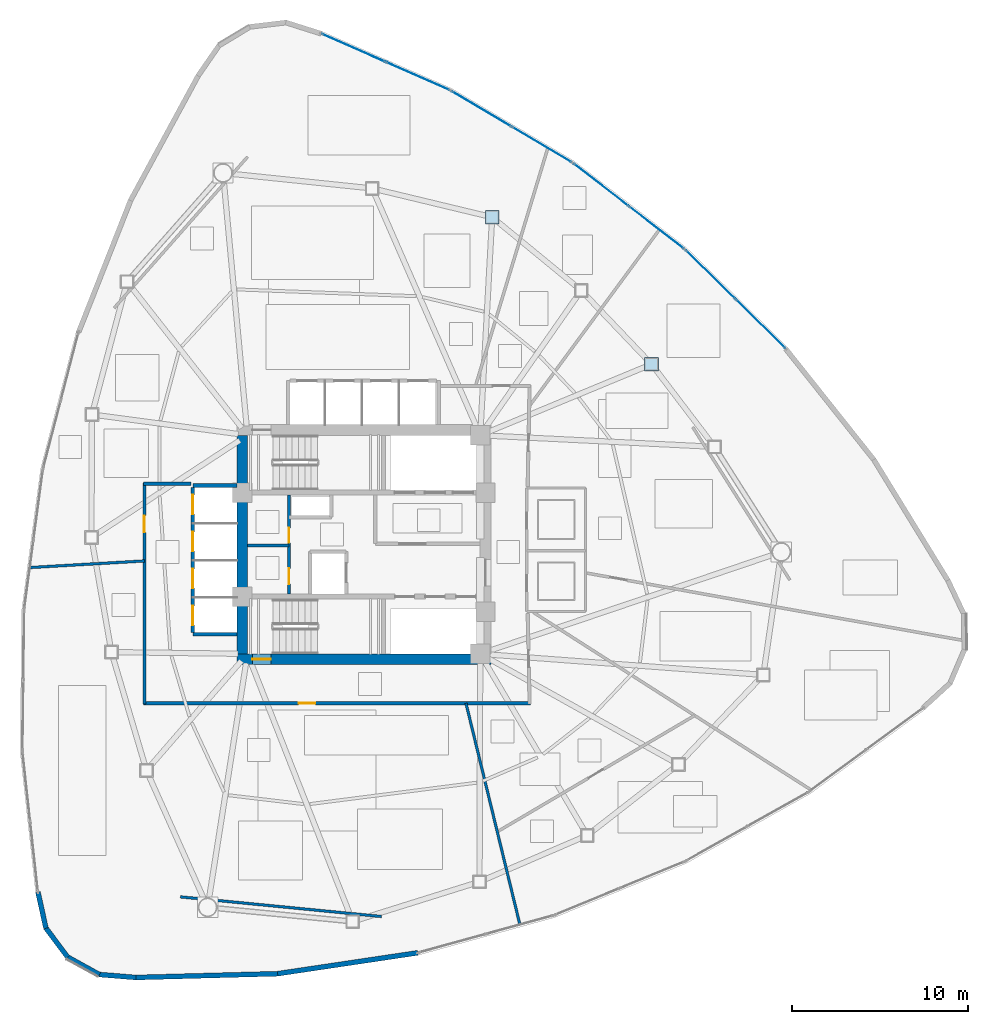
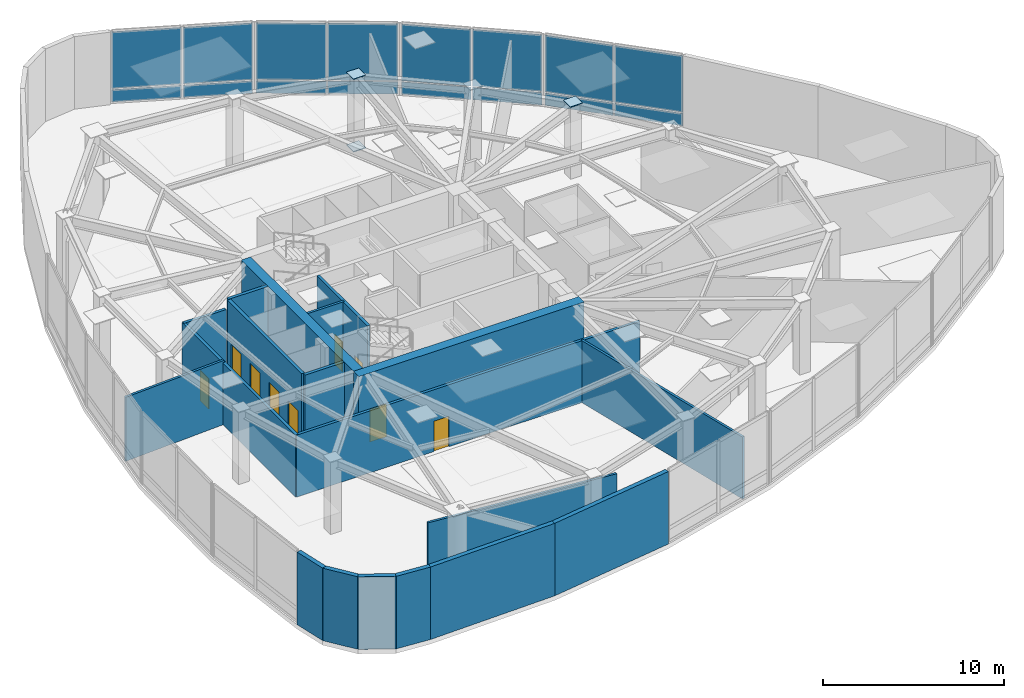
# One storey, part 9 of 14: 19 plates, 19 walls, 9 doors, 9 openings, 4 elements without a shape of their own.
"""IFC4 building model written with IfcOpenShell, lengths in metres."""

from ifc_helpers import new_model, si_unit, direction, frame, frame_2d, origin, origin_2d, place, context, subcontext, project, spatial, rectangle, extrude, source, transform, mapped, material, layer, layer_set, type_object, type_shapes, element, fill, aggregate, save


model = new_model("IFC4")

# Units and contexts
model_context = context("Model", 3, precision=1e-05, world=origin(), true_north=direction((0.0, 1.0)))
body_context = subcontext(model_context, "Body", "Model", "MODEL_VIEW")
ifc_project = project(units=[si_unit("LENGTHUNIT", "METRE"), si_unit("AREAUNIT", "SQUARE_METRE"), si_unit("VOLUMEUNIT", "CUBIC_METRE"), si_unit("PLANEANGLEUNIT", "RADIAN"), si_unit("MASSUNIT", "GRAM", prefix="KILO")], contexts=[model_context])

# Site, building, storey
site_placement = place(None, origin())
site = spatial("IfcSite", under=ifc_project, at=site_placement, CompositionType="ELEMENT")
building_placement = place(site_placement, origin())
building = spatial("IfcBuilding", under=site, at=building_placement, Name="Tavelor Broadcast Tower", CompositionType="ELEMENT")
storey_placement = place(building_placement, frame((0.0, 0.0, 110.39990234375)))
storey = spatial("IfcBuildingStorey", under=building, at=storey_placement, Name="L25", CompositionType="ELEMENT", Elevation=110.39990234375)

# Plates
ifc_material_1 = material(Name="Steel S460", Category="steel")
ifc_layer_1 = layer(ifc_material_1, 0.050048828125)
ifc_layer_set_1 = layer_set([ifc_layer_1], Name="Steel S460")
plate_type_1 = type_object("IfcPlateType", Name="Tube Hollow-End Cap Plate KN05 700x700x50", PredefinedType="USERDEFINED", material=ifc_layer_set_1)
shared_shape_1 = source(origin(), body_context, "Body", "SweptSolid", [
    extrude(rectangle(XDim=0.780029296875, YDim=0.780029296875, at=origin_2d()), origin(), (0.0, 0.0, 1.0), 0.054931640625),
])
type_shapes(plate_type_1, [shared_shape_1])
for number, where, z_axis, x_axis, name in (
    (1, (66.322021484375, 55.228759765625, 4.87255859375), (0.0, 0.0, 1.0), (1.0, 0.0, 0.0), "L25 Hollow End Cap Plate KN05 #760"),
    (2, (57.276611328125, 63.568359375, -0.02734375), (0.0, 0.0, 1.0), (1.0, 0.0, 0.0), "L25 Hollow End Cap Plate KN05 #762"),
    (3, (57.276611328125, 63.568359375, 4.87255859375), (0.0, 0.0, 1.0), (1.0, 0.0, 0.0), "L25 Hollow End Cap Plate KN05 #763"),
):
    element("IfcPlate", number, at=place(storey_placement, frame(where, z_axis=z_axis, x_axis=x_axis)), inside=storey, type_object=plate_type_1, Name=name, ObjectType="CAP PLATE", PredefinedType="USERDEFINED", context=body_context, shape_type="MappedRepresentation", body=[
        mapped(shared_shape_1, transform((0.0, 0.0, 0.0), scale=1.0)),
    ])

# Curtain wall, plates
ifc_material_2 = material(Name="Architectural Anodized Aluminium", Category="aluminium")
ifc_layer_2 = layer(ifc_material_2, 0.239990234375)
ifc_layer_set_2 = layer_set([ifc_layer_2], Name="Architectural Anodized Aluminium")
curtain_wall_type = type_object("IfcCurtainWallType", Name="Sky Lobby Feature Structural Curtain Wall CW05", PredefinedType="NOTDEFINED", material=ifc_layer_set_2)
curtain_wall_1_placement = place(storey_placement, origin())
curtain_wall_1 = element("IfcCurtainWall", 4, at=curtain_wall_1_placement, inside=storey, type_object=curtain_wall_type, Name="L25 Curtain Wall CW05 Run 249", PredefinedType="NOTDEFINED")
ifc_material_3 = material(Name="Ultra-Clear Structural Glazing 38 mm", Category="glass")
ifc_layer_3 = layer(ifc_material_3, 0.0380859375)
ifc_layer_set_3 = layer_set([ifc_layer_3], Name="Ultra-Clear Structural Glazing 38 mm")
plate_type_2 = type_object("IfcPlateType", Name="CW05 Insulated Vision Glazing Panel 38 mm", PredefinedType="CURTAIN_PANEL", material=ifc_layer_set_3)
shared_shape_2 = source(origin(), body_context, "Body", "SweptSolid", [
    extrude(rectangle(XDim=3.891357421875, YDim=0.0380859375, at=origin_2d()), origin(), (0.0, 0.0, 1.0), 0.830078125),
])
plate_1_placement = place(storey_placement, frame((72.4892578125, 57.524169921875, 0.080078125), z_axis=(0.0, 0.0, 1.0), x_axis=(-0.712322409392, 0.701852395506, 0.0)))
plate_1 = element("IfcPlate", 5, at=plate_1_placement, type_object=plate_type_2, Name="CW05 panel 1.1", PredefinedType="CURTAIN_PANEL", context=body_context, shape_type="MappedRepresentation", body=[
    mapped(shared_shape_2, transform((0.0, 0.0, 0.0), scale=1.0)),
])
plate_2_placement = place(storey_placement, frame((69.66015625, 60.3115234375, 0.080078125), z_axis=(0.0, 0.0, 1.0), x_axis=(-0.712322409392, 0.701852395506, 0.0)))
plate_2 = element("IfcPlate", 6, at=plate_2_placement, type_object=plate_type_2, Name="CW05 panel 2.1", PredefinedType="CURTAIN_PANEL", context=body_context, shape_type="MappedRepresentation", body=[
    mapped(shared_shape_2, transform((0.0, 0.0, 0.0), scale=1.0)),
])
shared_shape_3 = source(origin(), body_context, "Body", "SweptSolid", [
    extrude(rectangle(XDim=3.891357421875, YDim=0.0380859375, at=origin_2d()), origin(), (0.0, 0.0, 1.0), 3.830078125),
])
plate_3_placement = place(storey_placement, frame((72.4892578125, 57.524169921875, 0.989990234375), z_axis=(0.0, 0.0, 1.0), x_axis=(-0.712322409392, 0.701852395506, 0.0)))
plate_3 = element("IfcPlate", 7, at=plate_3_placement, type_object=plate_type_2, Name="CW05 panel 1.2", PredefinedType="CURTAIN_PANEL", context=body_context, shape_type="MappedRepresentation", body=[
    mapped(shared_shape_3, transform((0.0, 0.0, 0.0), scale=1.0)),
])
plate_4_placement = place(storey_placement, frame((69.66015625, 60.3115234375, 0.989990234375), z_axis=(0.0, 0.0, 1.0), x_axis=(-0.712322409392, 0.701852395506, 0.0)))
plate_4 = element("IfcPlate", 8, at=plate_4_placement, type_object=plate_type_2, Name="CW05 panel 2.2", PredefinedType="CURTAIN_PANEL", context=body_context, shape_type="MappedRepresentation", body=[
    mapped(shared_shape_3, transform((0.0, 0.0, 0.0), scale=1.0)),
])
aggregate(curtain_wall_1, [plate_1, plate_3, plate_2, plate_4])

curtain_wall_2_placement = place(storey_placement, origin())
curtain_wall_2 = element("IfcCurtainWall", 9, at=curtain_wall_2_placement, inside=storey, type_object=curtain_wall_type, Name="L25 Curtain Wall CW05 Run 250", PredefinedType="NOTDEFINED")
shared_shape_4 = source(origin(), body_context, "Body", "SweptSolid", [
    extrude(rectangle(XDim=3.884033203125, YDim=0.0380859375, at=origin_2d()), origin(), (0.0, 0.0, 1.0), 0.830078125),
])
plate_5_placement = place(storey_placement, frame((66.59326171875, 62.9873046875, 0.080078125), z_axis=(0.0, 0.0, 1.0), x_axis=(-0.792028940195, 0.610483544326, 0.0)))
plate_5 = element("IfcPlate", 10, at=plate_5_placement, type_object=plate_type_2, Name="CW05 panel 1.1", PredefinedType="CURTAIN_PANEL", context=body_context, shape_type="MappedRepresentation", body=[
    mapped(shared_shape_4, transform((0.0, 0.0, 0.0), scale=1.0)),
])
plate_6_placement = place(storey_placement, frame((63.45361328125, 65.4072265625, 0.080078125), z_axis=(0.0, 0.0, 1.0), x_axis=(-0.792028940195, 0.610483544326, 0.0)))
plate_6 = element("IfcPlate", 11, at=plate_6_placement, type_object=plate_type_2, Name="CW05 panel 2.1", PredefinedType="CURTAIN_PANEL", context=body_context, shape_type="MappedRepresentation", body=[
    mapped(shared_shape_4, transform((0.0, 0.0, 0.0), scale=1.0)),
])

curtain_wall_3_placement = place(storey_placement, origin())
curtain_wall_3 = element("IfcCurtainWall", 12, at=curtain_wall_3_placement, inside=storey, type_object=curtain_wall_type, Name="L25 Curtain Wall CW05 Run 251", PredefinedType="NOTDEFINED")
plate_7_placement = place(storey_placement, frame((60.08837890625, 67.68994140625, 0.080078125), z_axis=(0.0, 0.0, 1.0), x_axis=(-0.860082329083, 0.510155257935, 0.0)))
plate_7 = element("IfcPlate", 13, at=plate_7_placement, type_object=plate_type_2, Name="CW05 panel 1.1", PredefinedType="CURTAIN_PANEL", context=body_context, shape_type="MappedRepresentation", body=[
    mapped(shared_shape_4, transform((0.0, 0.0, 0.0), scale=1.0)),
])
plate_8_placement = place(storey_placement, frame((56.678955078125, 69.712158203125, 0.080078125), z_axis=(0.0, 0.0, 1.0), x_axis=(-0.860082329083, 0.510155257935, 0.0)))
plate_8 = element("IfcPlate", 14, at=plate_8_placement, type_object=plate_type_2, Name="CW05 panel 2.1", PredefinedType="CURTAIN_PANEL", context=body_context, shape_type="MappedRepresentation", body=[
    mapped(shared_shape_4, transform((0.0, 0.0, 0.0), scale=1.0)),
])

# Plate
shared_shape_5 = source(origin(), body_context, "Body", "SweptSolid", [
    extrude(rectangle(XDim=3.884033203125, YDim=0.0380859375, at=origin_2d()), origin(), (0.0, 0.0, 1.0), 3.830078125),
])
plate_9_placement = place(storey_placement, frame((66.59326171875, 62.9873046875, 0.989990234375), z_axis=(0.0, 0.0, 1.0), x_axis=(-0.792028940195, 0.610483544326, 0.0)))
plate_9 = element("IfcPlate", 15, at=plate_9_placement, type_object=plate_type_2, Name="CW05 panel 1.2", PredefinedType="CURTAIN_PANEL", context=body_context, shape_type="MappedRepresentation", body=[
    mapped(shared_shape_5, transform((0.0, 0.0, 0.0), scale=1.0)),
])

plate_10_placement = place(storey_placement, frame((63.45361328125, 65.4072265625, 0.989990234375), z_axis=(0.0, 0.0, 1.0), x_axis=(-0.792028940195, 0.610483544326, 0.0)))
plate_10 = element("IfcPlate", 16, at=plate_10_placement, type_object=plate_type_2, Name="CW05 panel 2.2", PredefinedType="CURTAIN_PANEL", context=body_context, shape_type="MappedRepresentation", body=[
    mapped(shared_shape_5, transform((0.0, 0.0, 0.0), scale=1.0)),
])

aggregate(curtain_wall_2, [plate_5, plate_9, plate_6, plate_10])

plate_11_placement = place(storey_placement, frame((60.08837890625, 67.68994140625, 0.989990234375), z_axis=(0.0, 0.0, 1.0), x_axis=(-0.860082329083, 0.510155257935, 0.0)))
plate_11 = element("IfcPlate", 17, at=plate_11_placement, type_object=plate_type_2, Name="CW05 panel 1.2", PredefinedType="CURTAIN_PANEL", context=body_context, shape_type="MappedRepresentation", body=[
    mapped(shared_shape_5, transform((0.0, 0.0, 0.0), scale=1.0)),
])

plate_12_placement = place(storey_placement, frame((56.678955078125, 69.712158203125, 0.989990234375), z_axis=(0.0, 0.0, 1.0), x_axis=(-0.860082329083, 0.510155257935, 0.0)))
plate_12 = element("IfcPlate", 18, at=plate_12_placement, type_object=plate_type_2, Name="CW05 panel 2.2", PredefinedType="CURTAIN_PANEL", context=body_context, shape_type="MappedRepresentation", body=[
    mapped(shared_shape_5, transform((0.0, 0.0, 0.0), scale=1.0)),
])

aggregate(curtain_wall_3, [plate_7, plate_11, plate_8, plate_12])

# Curtain wall, plates
curtain_wall_4_placement = place(storey_placement, origin())
curtain_wall_4 = element("IfcCurtainWall", 19, at=curtain_wall_4_placement, inside=storey, type_object=curtain_wall_type, Name="L25 Curtain Wall CW05 Run 252", PredefinedType="NOTDEFINED")
shared_shape_6 = source(origin(), body_context, "Body", "SweptSolid", [
    extrude(rectangle(XDim=3.891845703125, YDim=0.0380859375, at=origin_2d()), origin(), (0.0, 0.0, 1.0), 0.830078125),
])
plate_13_placement = place(storey_placement, frame((53.05859375, 71.572509765625, 0.080078125), z_axis=(0.0, 0.0, 1.0), x_axis=(-0.915501093225, 0.402315483549, 0.0)))
plate_13 = element("IfcPlate", 20, at=plate_13_placement, type_object=plate_type_2, Name="CW05 panel 1.1", PredefinedType="CURTAIN_PANEL", context=body_context, shape_type="MappedRepresentation", body=[
    mapped(shared_shape_6, transform((0.0, 0.0, 0.0), scale=1.0)),
])
plate_14_placement = place(storey_placement, frame((49.42236328125, 73.17041015625, 0.080078125), z_axis=(0.0, 0.0, 1.0), x_axis=(-0.915501093225, 0.402315483549, 0.0)))
plate_14 = element("IfcPlate", 21, at=plate_14_placement, type_object=plate_type_2, Name="CW05 panel 2.1", PredefinedType="CURTAIN_PANEL", context=body_context, shape_type="MappedRepresentation", body=[
    mapped(shared_shape_6, transform((0.0, 0.0, 0.0), scale=1.0)),
])
shared_shape_7 = source(origin(), body_context, "Body", "SweptSolid", [
    extrude(rectangle(XDim=3.891845703125, YDim=0.0380859375, at=origin_2d()), origin(), (0.0, 0.0, 1.0), 3.830078125),
])
type_shapes(plate_type_2, [shared_shape_2, shared_shape_3, shared_shape_4, shared_shape_5, shared_shape_6, shared_shape_7])
plate_15_placement = place(storey_placement, frame((53.05859375, 71.572509765625, 0.989990234375), z_axis=(0.0, 0.0, 1.0), x_axis=(-0.915501093225, 0.402315483549, 0.0)))
plate_15 = element("IfcPlate", 22, at=plate_15_placement, type_object=plate_type_2, Name="CW05 panel 1.2", PredefinedType="CURTAIN_PANEL", context=body_context, shape_type="MappedRepresentation", body=[
    mapped(shared_shape_7, transform((0.0, 0.0, 0.0), scale=1.0)),
])
plate_16_placement = place(storey_placement, frame((49.42236328125, 73.17041015625, 0.989990234375), z_axis=(0.0, 0.0, 1.0), x_axis=(-0.915501093225, 0.402315483549, 0.0)))
plate_16 = element("IfcPlate", 23, at=plate_16_placement, type_object=plate_type_2, Name="CW05 panel 2.2", PredefinedType="CURTAIN_PANEL", context=body_context, shape_type="MappedRepresentation", body=[
    mapped(shared_shape_7, transform((0.0, 0.0, 0.0), scale=1.0)),
])
aggregate(curtain_wall_4, [plate_13, plate_15, plate_14, plate_16])

# Wall, opening, door
ifc_material_4 = material(Name="Concrete C60/75", Category="concrete")
ifc_layer_4 = layer(ifc_material_4, 0.60009765625)
ifc_layer_set_4 = layer_set([ifc_layer_4], Name="Concrete C60/75")
wall_type_1 = type_object("IfcWallType", Name="Core Shear Wall 600 mm", PredefinedType="SHEAR", material=ifc_layer_set_4)
wall_1_placement = place(storey_placement, frame((42.800048828125, 38.5, 0.0), z_axis=(0.0, 0.0, 1.0), x_axis=(1.0, 0.0, 0.0)))
wall_1 = element("IfcWall", 24, at=wall_1_placement, inside=storey, type_object=wall_type_1, Name="L25 Central Core Shear Wall S", PredefinedType="SHEAR", context=body_context, shape_type="SweptSolid", body=[
    extrude(rectangle(XDim=14.39990234375, YDim=0.60009765625, at=frame_2d((7.199951171875, 0.0))), origin(), (0.0, 0.0, 1.0), 4.900146484375),
])
opening_1_placement = place(wall_1_placement, frame((0.8798828125, 0.0, 0.0)))
opening_1 = element("IfcOpeningElement", 25, at=opening_1_placement, cuts=wall_1, Name="Opening DR11", PredefinedType="OPENING", context=body_context, shape_type="SweptSolid", body=[
    extrude(rectangle(XDim=1.050048828125, YDim=2.199951171875, at=frame_2d((0.52490234375, 1.10009765625))), frame((0.0, 0.31005859375, 0.0), z_axis=(0.0, -1.0, 0.0), x_axis=(1.0, 0.0, 0.0)), (0.0, 0.0, 1.0), 0.6201171875),
])
ifc_material_5 = material(Name="Steel S355", Category="steel")
door_type_1 = type_object("IfcDoorType", Name="Stair Core Fire Escape Door 1050x2200", OperationType="NOTDEFINED", PredefinedType="DOOR", material=ifc_material_5)
door_1_placement = place(opening_1_placement, origin())
door_1 = element("IfcDoor", 26, at=door_1_placement, inside=storey, type_object=door_type_1, Name="L25 Stair ST2 Protected Exit Door", OperationType="SINGLE_SWING_RIGHT", OverallHeight=2.199951171875, OverallWidth=1.050048828125, PredefinedType="DOOR", context=body_context, shape_type="SweptSolid", body=[
    extrude(rectangle(XDim=1.050048828125, YDim=2.199951171875, at=frame_2d((0.52490234375, 1.10009765625))), frame((0.0, 0.02490234375, 0.0), z_axis=(0.0, -1.0, 0.0), x_axis=(1.0, 0.0, 0.0)), (0.0, 0.0, 1.0), 0.050048828125),
])
fill(opening_1, door_1)

# Wall
wall_2_placement = place(storey_placement, frame((43.10009765625, 38.800048828125, 0.0), z_axis=(0.0, 0.0, 1.0), x_axis=(0.0, 1.0, 0.0)))
element("IfcWall", 27, at=wall_2_placement, inside=storey, type_object=wall_type_1, Name="L25 Central Core Shear Wall W", PredefinedType="SHEAR", context=body_context, shape_type="SweptSolid", body=[
    extrude(rectangle(XDim=12.39990234375, YDim=0.60009765625, at=frame_2d((6.199951171875, 0.0))), origin(), (0.0, 0.0, 1.0), 4.900146484375),
])

# Wall, openings, doors
ifc_material_6 = material(Name="Calcium Silicate Fire Board 180 mm", Category="gypsum")
ifc_layer_5 = layer(ifc_material_6, 0.179931640625)
ifc_layer_set_5 = layer_set([ifc_layer_5], Name="Calcium Silicate Fire Board 180 mm")
wall_type_2 = type_object("IfcWallType", Name="Fire-Rated Corridor Partition Wall 180 mm", PredefinedType="PARTITIONING", material=ifc_layer_set_5)
wall_3_placement = place(storey_placement, frame((45.75, 42.199951171875, 0.0), z_axis=(0.0, 0.0, 1.0), x_axis=(0.0, 1.0, 0.0)))
wall_3 = element("IfcWall", 28, at=wall_3_placement, inside=storey, type_object=wall_type_2, Name="L25 Core West Service East Wall", PredefinedType="PARTITIONING", context=body_context, shape_type="SweptSolid", body=[
    extrude(rectangle(XDim=5.60009765625, YDim=0.179931640625, at=frame_2d((2.800048828125, 0.0))), origin(), (0.0, 0.0, 1.0), 4.900146484375),
])
opening_2_placement = place(wall_3_placement, frame((0.550048828125, 0.0, 0.0)))
opening_2 = element("IfcOpeningElement", 29, at=opening_2_placement, cuts=wall_3, Name="Opening DR32", PredefinedType="OPENING", context=body_context, shape_type="SweptSolid", body=[
    extrude(rectangle(XDim=0.89990234375, YDim=2.050048828125, at=frame_2d((0.449951171875, 1.02490234375))), frame((0.0, 0.10009765625, 0.0), z_axis=(0.0, -1.0, 0.0), x_axis=(1.0, 0.0, 0.0)), (0.0, 0.0, 1.0), 0.199951171875),
])
opening_3_placement = place(wall_3_placement, frame((2.89990234375, 0.0, 0.0)))
opening_3 = element("IfcOpeningElement", 30, at=opening_3_placement, cuts=wall_3, Name="Opening DR36", PredefinedType="OPENING", context=body_context, shape_type="SweptSolid", body=[
    extrude(rectangle(XDim=0.85009765625, YDim=2.050048828125, at=frame_2d((0.425048828125, 1.02490234375))), frame((0.0, 0.10009765625, 0.0), z_axis=(0.0, -1.0, 0.0), x_axis=(1.0, 0.0, 0.0)), (0.0, 0.0, 1.0), 0.199951171875),
])
ifc_material_7 = material(Name="Timber Solid Core Hardwood", Category="wood")
door_type_2 = type_object("IfcDoorType", Name="Accessible Washroom Door 900x2050", OperationType="NOTDEFINED", PredefinedType="DOOR", material=ifc_material_7)
door_2_placement = place(opening_2_placement, origin())
door_2 = element("IfcDoor", 31, at=door_2_placement, inside=storey, type_object=door_type_2, Name="L25 Core Accessible WC Door", OperationType="SINGLE_SWING_LEFT", OverallHeight=2.050048828125, OverallWidth=0.89990234375, PredefinedType="DOOR", context=body_context, shape_type="SweptSolid", body=[
    extrude(rectangle(XDim=0.89990234375, YDim=2.050048828125, at=frame_2d((0.449951171875, 1.02490234375))), frame((0.0, 0.02490234375, 0.0), z_axis=(0.0, -1.0, 0.0), x_axis=(1.0, 0.0, 0.0)), (0.0, 0.0, 1.0), 0.050048828125),
])
fill(opening_2, door_2)
door_type_3 = type_object("IfcDoorType", Name="Service Room Fire Door 850x2050", OperationType="NOTDEFINED", PredefinedType="DOOR", material=ifc_material_5)
door_3_placement = place(opening_3_placement, origin())
door_3 = element("IfcDoor", 32, at=door_3_placement, inside=storey, type_object=door_type_3, Name="L25 Core Cleaner Store Door", OperationType="SINGLE_SWING_RIGHT", OverallHeight=2.050048828125, OverallWidth=0.85009765625, PredefinedType="DOOR", context=body_context, shape_type="SweptSolid", body=[
    extrude(rectangle(XDim=0.85009765625, YDim=2.050048828125, at=frame_2d((0.425048828125, 1.02490234375))), frame((0.0, 0.02490234375, 0.0), z_axis=(0.0, -1.0, 0.0), x_axis=(1.0, 0.0, 0.0)), (0.0, 0.0, 1.0), 0.050048828125),
])
fill(opening_3, door_3)

# Wall, opening, door
wall_4_placement = place(storey_placement, frame((59.449951171875, 36.0, 0.0), z_axis=(0.0, 0.0, 1.0), x_axis=(-1.0, 0.0, 0.0)))
wall_4 = element("IfcWall", 33, at=wall_4_placement, inside=storey, type_object=wall_type_2, Name="L25 Corridor Compartment Wall 04", PredefinedType="PARTITIONING", context=body_context, shape_type="SweptSolid", body=[
    extrude(rectangle(XDim=21.949951171875, YDim=0.179931640625, at=frame_2d((10.97509765625, 0.0))), origin(), (0.0, 0.0, 1.0), 4.18505859375),
])
opening_4_placement = place(wall_4_placement, frame((12.19970703125, 0.0, 0.0)))
opening_4 = element("IfcOpeningElement", 34, at=opening_4_placement, cuts=wall_4, Name="Opening DR18", PredefinedType="OPENING", context=body_context, shape_type="SweptSolid", body=[
    extrude(rectangle(XDim=0.949951171875, YDim=2.050048828125, at=frame_2d((0.47509765625, 1.02490234375))), frame((0.0, 0.10009765625, 0.0), z_axis=(0.0, -1.0, 0.0), x_axis=(1.0, 0.0, 0.0)), (0.0, 0.0, 1.0), 0.199951171875),
])
door_type_4 = type_object("IfcDoorType", Name="Corridor Rated Compartment Door 950x2050", OperationType="NOTDEFINED", PredefinedType="DOOR", material=ifc_material_7)
door_4_placement = place(opening_4_placement, origin())
door_4 = element("IfcDoor", 35, at=door_4_placement, inside=storey, type_object=door_type_4, Name="L25 Broadcast Concierge Desk Door R3", OperationType="SINGLE_SWING_RIGHT", OverallHeight=2.050048828125, OverallWidth=0.949951171875, PredefinedType="DOOR", context=body_context, shape_type="SweptSolid", body=[
    extrude(rectangle(XDim=0.949951171875, YDim=2.050048828125, at=frame_2d((0.47509765625, 1.02490234375))), frame((0.0, 0.02490234375, 0.0), z_axis=(0.0, -1.0, 0.0), x_axis=(1.0, 0.0, 0.0)), (0.0, 0.0, 1.0), 0.050048828125),
])
fill(opening_4, door_4)

wall_5_placement = place(storey_placement, frame((37.550048828125, 35.949951171875, 0.0), z_axis=(0.0, 0.0, 1.0), x_axis=(0.0, 1.0, 0.0)))
wall_5 = element("IfcWall", 36, at=wall_5_placement, inside=storey, type_object=wall_type_2, Name="L25 Corridor Compartment Wall 05", PredefinedType="PARTITIONING", context=body_context, shape_type="SweptSolid", body=[
    extrude(rectangle(XDim=12.550048828125, YDim=0.179931640625, at=frame_2d((6.27490234375, 0.0))), origin(), (0.0, 0.0, 1.0), 4.18505859375),
])
opening_5_placement = place(wall_5_placement, frame((9.73974609375, 0.0, 0.0)))
opening_5 = element("IfcOpeningElement", 37, at=opening_5_placement, cuts=wall_5, Name="Opening DR18", PredefinedType="OPENING", context=body_context, shape_type="SweptSolid", body=[
    extrude(rectangle(XDim=0.949951171875, YDim=2.050048828125, at=frame_2d((0.47509765625, 1.02490234375))), frame((0.0, 0.10009765625, 0.0), z_axis=(0.0, -1.0, 0.0), x_axis=(1.0, 0.0, 0.0)), (0.0, 0.0, 1.0), 0.199951171875),
])
door_5_placement = place(opening_5_placement, origin())
door_5 = element("IfcDoor", 38, at=door_5_placement, inside=storey, type_object=door_type_4, Name="L25 Studio Foley Workshop Door R4", OperationType="SINGLE_SWING_LEFT", OverallHeight=2.050048828125, OverallWidth=0.949951171875, PredefinedType="DOOR", context=body_context, shape_type="SweptSolid", body=[
    extrude(rectangle(XDim=0.949951171875, YDim=2.050048828125, at=frame_2d((0.47509765625, 1.02490234375))), frame((0.0, 0.02490234375, 0.0), z_axis=(0.0, -1.0, 0.0), x_axis=(1.0, 0.0, 0.0)), (0.0, 0.0, 1.0), 0.050048828125),
])
fill(opening_5, door_5)

# Walls
wall_6_placement = place(storey_placement, frame((37.5, 48.449951171875, 0.0), z_axis=(0.0, 0.0, 1.0), x_axis=(1.0, 0.0, 0.0)))
element("IfcWall", 39, at=wall_6_placement, inside=storey, type_object=wall_type_2, Name="L25 Corridor Compartment Wall 06", PredefinedType="PARTITIONING", context=body_context, shape_type="SweptSolid", body=[
    extrude(rectangle(XDim=2.699951171875, YDim=0.179931640625, at=frame_2d((1.35009765625, 0.0))), origin(), (0.0, 0.0, 1.0), 4.18505859375),
])
ifc_material_8 = material(Name="Precast Concrete C40/50", Category="concrete")
ifc_layer_6 = layer(ifc_material_8, 0.280029296875)
ifc_layer_set_6 = layer_set([ifc_layer_6], Name="Precast Concrete C40/50")
wall_type_3 = type_object("IfcWallType", Name="Insulated Precast Terracotta Facade Wall 280 mm", PredefinedType="STANDARD", material=ifc_layer_set_6)
wall_7_placement = place(storey_placement, frame((31.51318359375, 25.286865234375, 0.0), z_axis=(0.0, 0.0, 1.0), x_axis=(0.215463524471, -0.976511889135, 0.0)))
element("IfcWall", 40, at=wall_7_placement, inside=storey, type_object=wall_type_3, Name="L25 Rounded Corner Structural Cladding Pier 11", PredefinedType="STANDARD", context=body_context, shape_type="SweptSolid", body=[
    extrude(rectangle(XDim=2.097412109375, YDim=0.280029296875, at=frame_2d((1.048828125, 0.0))), origin(), (0.0, 0.0, 1.0), 4.900146484375),
])
for number, where, z_axis, x_axis, name in (
    (41, (31.952880859375, 23.265380859375, 0.0), (0.0, 0.0, 1.0), (0.598388413852, -0.801206157096, 0.0), "L25 Rounded Corner Structural Cladding Pier 12"),
    (42, (33.178955078125, 21.61328125, 0.0), (0.0, 0.0, 1.0), (0.875044589244, -0.484042319261, 0.0), "L25 Rounded Corner Structural Cladding Pier 13"),
):
    element("IfcWall", number, at=place(storey_placement, frame(where, z_axis=z_axis, x_axis=x_axis)), inside=storey, type_object=wall_type_3, Name=name, PredefinedType="STANDARD", context=body_context, shape_type="SweptSolid", body=[
        extrude(rectangle(XDim=2.086181640625, YDim=0.280029296875, at=frame_2d((1.04296875, 0.0))), origin(), (0.0, 0.0, 1.0), 4.900146484375),
    ])
wall_8_placement = place(storey_placement, frame((34.976318359375, 20.612060546875, 0.0), z_axis=(0.0, 0.0, 1.0), x_axis=(0.996709862022, -0.08105214956, 0.0)))
element("IfcWall", 43, at=wall_8_placement, inside=storey, type_object=wall_type_3, Name="L25 Rounded Corner Structural Cladding Pier 14", PredefinedType="STANDARD", context=body_context, shape_type="SweptSolid", body=[
    extrude(rectangle(XDim=2.1083984375, YDim=0.280029296875, at=frame_2d((1.05419921875, 0.0))), origin(), (0.0, 0.0, 1.0), 4.900146484375),
])
wall_9_placement = place(storey_placement, frame((37.0478515625, 20.44189453125, 0.0), z_axis=(0.0, 0.0, 1.0), x_axis=(0.999646255444, 0.026596315108, 0.0)))
element("IfcWall", 44, at=wall_9_placement, inside=storey, type_object=wall_type_3, Name="L25 Rounded Corner Structural Cladding Pier 15", PredefinedType="STANDARD", context=body_context, shape_type="SweptSolid", body=[
    extrude(rectangle(XDim=8.06884765625, YDim=0.280029296875, at=frame_2d((4.034423828125, 0.0))), origin(), (0.0, 0.0, 1.0), 4.900146484375),
])
wall_10_placement = place(storey_placement, frame((45.083984375, 20.65380859375, 0.0), z_axis=(0.0, 0.0, 1.0), x_axis=(0.989078808433, 0.147387620607, 0.0)))
element("IfcWall", 45, at=wall_10_placement, inside=storey, type_object=wall_type_3, Name="L25 Rounded Corner Structural Cladding Pier 16", PredefinedType="STANDARD", context=body_context, shape_type="SweptSolid", body=[
    extrude(rectangle(XDim=8.056884765625, YDim=0.280029296875, at=frame_2d((4.0283203125, 0.0))), origin(), (0.0, 0.0, 1.0), 4.900146484375),
])
ifc_material_9 = material(Name="Gypsum Acoustic Plasterboard 150 mm", Category="gypsum")
ifc_layer_7 = layer(ifc_material_9, 0.14990234375)
ifc_layer_set_7 = layer_set([ifc_layer_7], Name="Gypsum Acoustic Plasterboard 150 mm")
wall_type_4 = type_object("IfcWallType", Name="Interior Acoustic Partition Wall 150 mm", PredefinedType="PARTITIONING", material=ifc_layer_set_7)
wall_11_placement = place(storey_placement, frame((43.39990234375, 44.949951171875, 0.0), z_axis=(0.0, 0.0, 1.0), x_axis=(1.0, 0.0, 0.0)))
element("IfcWall", 46, at=wall_11_placement, inside=storey, type_object=wall_type_4, Name="L25 Core Split Wall A", PredefinedType="PARTITIONING", context=body_context, shape_type="SweptSolid", body=[
    extrude(rectangle(XDim=2.35009765625, YDim=0.14990234375, at=frame_2d((1.175048828125, 0.0))), origin(), (0.0, 0.0, 1.0), 4.900146484375),
])
wall_12_placement = place(storey_placement, frame((39.589111328125, 25.017578125, 0.0), z_axis=(0.0, 0.0, 1.0), x_axis=(0.99524905582, -0.097361783517, 0.0)))
element("IfcWall", 47, at=wall_12_placement, inside=storey, type_object=wall_type_4, Name="L25 Corner Tube Brace Furring Wall 2", PredefinedType="PARTITIONING", context=body_context, shape_type="SweptSolid", body=[
    extrude(rectangle(XDim=11.467041015625, YDim=0.14990234375, at=frame_2d((5.7333984375, 0.0))), origin(), (0.0, 0.0, 1.0), 4.18505859375),
])
wall_13_placement = place(storey_placement, frame((55.7919921875, 36.0, 0.0), z_axis=(0.0, 0.0, 1.0), x_axis=(0.236615967377, -0.971603254411, 0.0)))
element("IfcWall", 48, at=wall_13_placement, inside=storey, type_object=wall_type_4, Name="L25 Radial Compartment Wall 01", PredefinedType="PARTITIONING", context=body_context, shape_type="SweptSolid", body=[
    extrude(rectangle(XDim=12.935791015625, YDim=0.14990234375, at=frame_2d((6.4677734375, 0.0))), origin(), (0.0, 0.0, 1.0), 4.18505859375),
])
wall_14_placement = place(storey_placement, frame((37.550048828125, 44.071533203125, 0.0), z_axis=(0.0, 0.0, 1.0), x_axis=(-0.998330573778, -0.05775868299, 0.0)))
element("IfcWall", 49, at=wall_14_placement, inside=storey, type_object=wall_type_4, Name="L25 Radial Compartment Wall 06", PredefinedType="PARTITIONING", context=body_context, shape_type="SweptSolid", body=[
    extrude(rectangle(XDim=6.522216796875, YDim=0.14990234375, at=frame_2d((3.26123046875, 0.0))), origin(), (0.0, 0.0, 1.0), 4.3251953125),
])

# Wall, openings, doors
ifc_material_10 = material(Name="Concrete Blockwork 200 mm", Category="masonry")
ifc_layer_8 = layer(ifc_material_10, 0.199951171875)
ifc_layer_set_8 = layer_set([ifc_layer_8], Name="Concrete Blockwork 200 mm")
wall_type_5 = type_object("IfcWallType", Name="Lift Hoistway Rated Front Wall 200 mm", PredefinedType="PARTITIONING", material=ifc_layer_set_8)
wall_15_placement = place(storey_placement, frame((40.300048828125, 40.02001953125, 0.0), z_axis=(0.0, 0.0, 1.0), x_axis=(0.0, 1.0, 0.0)))
wall_15 = element("IfcWall", 50, at=wall_15_placement, inside=storey, type_object=wall_type_5, Name="L25 Low-Rise Lift Hoistway Front Wall", PredefinedType="PARTITIONING", context=body_context, shape_type="SweptSolid", body=[
    extrude(rectangle(XDim=8.2099609375, YDim=0.199951171875, at=frame_2d((4.10498046875, 0.0))), origin(), (0.0, 0.0, 1.0), 4.900146484375),
])
opening_6_placement = place(wall_15_placement, frame((0.405029296875, 0.0, 0.0)))
opening_6 = element("IfcOpeningElement", 51, at=opening_6_placement, cuts=wall_15, Name="Opening LD01", PredefinedType="OPENING", context=body_context, shape_type="SweptSolid", body=[
    extrude(rectangle(XDim=1.10009765625, YDim=2.14990234375, at=frame_2d((0.550048828125, 1.074951171875))), frame((0.0, 0.10986328125, 0.0), z_axis=(0.0, -1.0, 0.0), x_axis=(1.0, 0.0, 0.0)), (0.0, 0.0, 1.0), 0.219970703125),
])
opening_7_placement = place(wall_15_placement, frame((2.5048828125, 0.0, 0.0)))
opening_7 = element("IfcOpeningElement", 52, at=opening_7_placement, cuts=wall_15, Name="Opening LD01", PredefinedType="OPENING", context=body_context, shape_type="SweptSolid", body=[
    extrude(rectangle(XDim=1.10009765625, YDim=2.14990234375, at=frame_2d((0.550048828125, 1.074951171875))), frame((0.0, 0.10986328125, 0.0), z_axis=(0.0, -1.0, 0.0), x_axis=(1.0, 0.0, 0.0)), (0.0, 0.0, 1.0), 0.219970703125),
])
opening_8_placement = place(wall_15_placement, frame((4.60498046875, 0.0, 0.0)))
opening_8 = element("IfcOpeningElement", 53, at=opening_8_placement, cuts=wall_15, Name="Opening LD01", PredefinedType="OPENING", context=body_context, shape_type="SweptSolid", body=[
    extrude(rectangle(XDim=1.10009765625, YDim=2.14990234375, at=frame_2d((0.550048828125, 1.074951171875))), frame((0.0, 0.10986328125, 0.0), z_axis=(0.0, -1.0, 0.0), x_axis=(1.0, 0.0, 0.0)), (0.0, 0.0, 1.0), 0.219970703125),
])
opening_9_placement = place(wall_15_placement, frame((6.705078125, 0.0, 0.0)))
opening_9 = element("IfcOpeningElement", 54, at=opening_9_placement, cuts=wall_15, Name="Opening LD01", PredefinedType="OPENING", context=body_context, shape_type="SweptSolid", body=[
    extrude(rectangle(XDim=1.10009765625, YDim=2.14990234375, at=frame_2d((0.550048828125, 1.074951171875))), frame((0.0, 0.10986328125, 0.0), z_axis=(0.0, -1.0, 0.0), x_axis=(1.0, 0.0, 0.0)), (0.0, 0.0, 1.0), 0.219970703125),
])
ifc_material_11 = material(Name="Brushed Stainless Steel", Category="steel")
door_type_5 = type_object("IfcDoorType", Name="Passenger Lift Sliding Landing Door 1100x2150", OperationType="NOTDEFINED", PredefinedType="DOOR", material=ifc_material_11)
door_6_placement = place(opening_6_placement, origin())
door_6 = element("IfcDoor", 55, at=door_6_placement, inside=storey, type_object=door_type_5, Name="L25 Lift PLL1 Sliding Landing Door", OperationType="SLIDING_TO_LEFT", OverallHeight=2.14990234375, OverallWidth=1.10009765625, PredefinedType="DOOR", context=body_context, shape_type="SweptSolid", body=[
    extrude(rectangle(XDim=1.10009765625, YDim=2.14990234375, at=frame_2d((0.550048828125, 1.074951171875))), frame((0.0, 0.02490234375, 0.0), z_axis=(0.0, -1.0, 0.0), x_axis=(1.0, 0.0, 0.0)), (0.0, 0.0, 1.0), 0.050048828125),
])
fill(opening_6, door_6)
door_7_placement = place(opening_7_placement, origin())
door_7 = element("IfcDoor", 56, at=door_7_placement, inside=storey, type_object=door_type_5, Name="L25 Lift PLL2 Sliding Landing Door", OperationType="SLIDING_TO_RIGHT", OverallHeight=2.14990234375, OverallWidth=1.10009765625, PredefinedType="DOOR", context=body_context, shape_type="SweptSolid", body=[
    extrude(rectangle(XDim=1.10009765625, YDim=2.14990234375, at=frame_2d((0.550048828125, 1.074951171875))), frame((0.0, 0.02490234375, 0.0), z_axis=(0.0, -1.0, 0.0), x_axis=(1.0, 0.0, 0.0)), (0.0, 0.0, 1.0), 0.050048828125),
])
fill(opening_7, door_7)
door_8_placement = place(opening_8_placement, origin())
door_8 = element("IfcDoor", 57, at=door_8_placement, inside=storey, type_object=door_type_5, Name="L25 Lift PLL3 Sliding Landing Door", OperationType="SLIDING_TO_LEFT", OverallHeight=2.14990234375, OverallWidth=1.10009765625, PredefinedType="DOOR", context=body_context, shape_type="SweptSolid", body=[
    extrude(rectangle(XDim=1.10009765625, YDim=2.14990234375, at=frame_2d((0.550048828125, 1.074951171875))), frame((0.0, 0.02490234375, 0.0), z_axis=(0.0, -1.0, 0.0), x_axis=(1.0, 0.0, 0.0)), (0.0, 0.0, 1.0), 0.050048828125),
])
fill(opening_8, door_8)
door_9_placement = place(opening_9_placement, origin())
door_9 = element("IfcDoor", 58, at=door_9_placement, inside=storey, type_object=door_type_5, Name="L25 Lift PLL4 Sliding Landing Door", OperationType="SLIDING_TO_RIGHT", OverallHeight=2.14990234375, OverallWidth=1.10009765625, PredefinedType="DOOR", context=body_context, shape_type="SweptSolid", body=[
    extrude(rectangle(XDim=1.10009765625, YDim=2.14990234375, at=frame_2d((0.550048828125, 1.074951171875))), frame((0.0, 0.02490234375, 0.0), z_axis=(0.0, -1.0, 0.0), x_axis=(1.0, 0.0, 0.0)), (0.0, 0.0, 1.0), 0.050048828125),
])
fill(opening_9, door_9)

# Walls
ifc_layer_9 = layer(ifc_material_10, 0.199951171875)
ifc_layer_set_9 = layer_set([ifc_layer_9], Name="Concrete Blockwork 200 mm")
wall_type_6 = type_object("IfcWallType", Name="Lift and Riser Shaft Enclosure Wall 200 mm", PredefinedType="PARTITIONING", material=ifc_layer_set_9)
for number, where, z_axis, x_axis, name in (
    (59, (40.300048828125, 39.89990234375, 0.0), (0.0, 0.0, 1.0), (1.0, 0.0, 0.0), "L25 Low-Rise Lift Shaft South Wall"),
    (60, (40.300048828125, 48.35009765625, 0.0), (0.0, 0.0, 1.0), (1.0, 0.0, 0.0), "L25 Low-Rise Lift Shaft North Wall"),
):
    element("IfcWall", number, at=place(storey_placement, frame(where, z_axis=z_axis, x_axis=x_axis)), inside=storey, type_object=wall_type_6, Name=name, PredefinedType="PARTITIONING", context=body_context, shape_type="SweptSolid", body=[
        extrude(rectangle(XDim=2.5, YDim=0.199951171875, at=frame_2d((1.25, 0.0))), origin(), (0.0, 0.0, 1.0), 4.900146484375),
    ])

save(model, "model.ifc")
